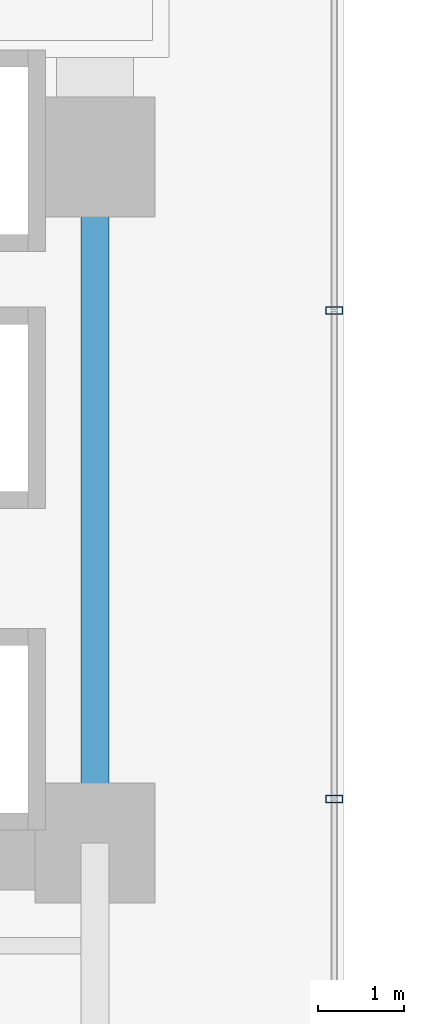
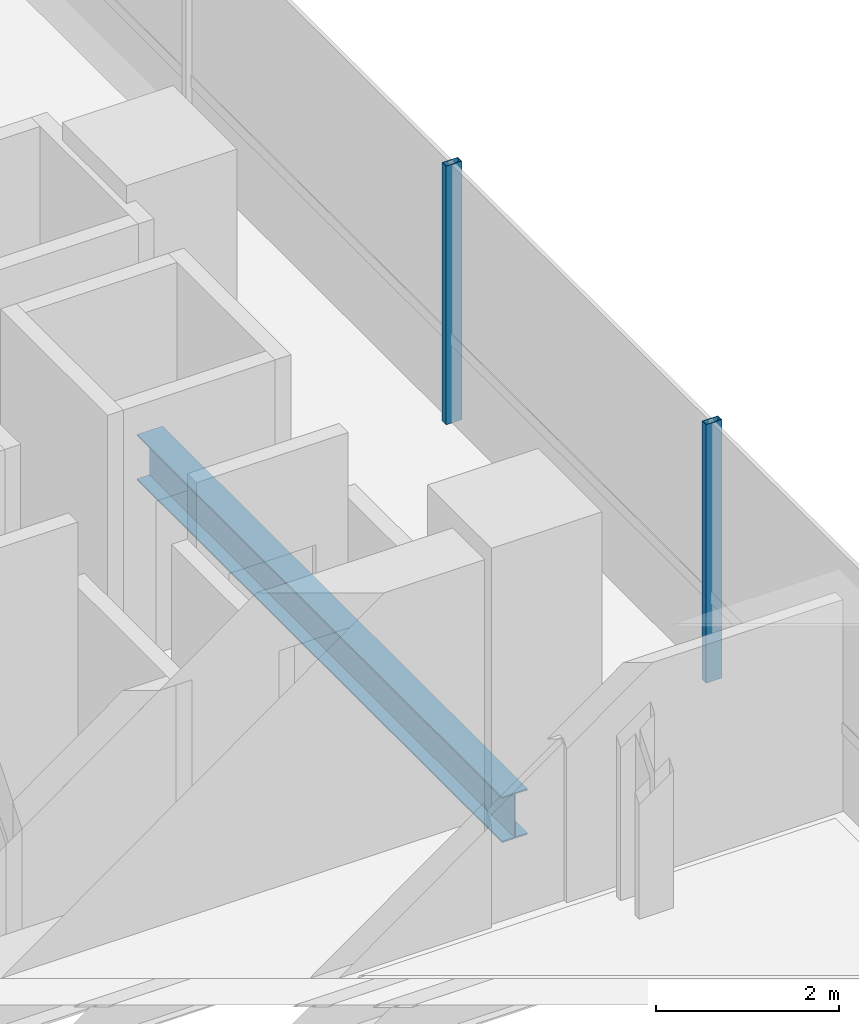
# One storey, part 6 of 40: 2 members, 1 beam, 1 element without a shape of its own.
"""IFC4 building model written with IfcOpenShell, lengths in metres."""

from ifc_helpers import new_model, si_unit, direction, frame, origin, origin_2d, place, context, subcontext, project, spatial, hollow_rectangle, i_section, extrude, source, transform, mapped, material, material_profile, profile_set, type_object, element, aggregate, save


model = new_model("IFC4")

# Units and contexts
model_context = context("Model", 3, precision=1e-05, world=origin(), true_north=direction((0.0, 1.0)))
body_context = subcontext(model_context, "Body", "Model", "MODEL_VIEW")
ifc_project = project(units=[si_unit("LENGTHUNIT", "METRE"), si_unit("AREAUNIT", "SQUARE_METRE"), si_unit("VOLUMEUNIT", "CUBIC_METRE"), si_unit("PLANEANGLEUNIT", "RADIAN"), si_unit("MASSUNIT", "GRAM", prefix="KILO")], contexts=[model_context])

# Site, building, storey
site_placement = place(None, origin())
site = spatial("IfcSite", under=ifc_project, at=site_placement, CompositionType="ELEMENT")
building_placement = place(site_placement, origin())
building = spatial("IfcBuilding", under=site, at=building_placement, Name="Valdorenza Pilgrim Sanctuary Tower", CompositionType="ELEMENT")
storey_placement = place(building_placement, frame((0.0, 0.0, 66.699951171875)))
storey = spatial("IfcBuildingStorey", under=building, at=storey_placement, Name="L16", CompositionType="ELEMENT", Elevation=66.699951171875)

# Beam
ifc_material_1 = material(Name="Steel ASTM A992 Grade 50", Category="steel")
ifc_material_profile_1 = material_profile(ifc_material_1, i_section(OverallWidth=0.323974609375, OverallDepth=0.611083984375, WebThickness=0.0126953125, FlangeThickness=0.01904296875, at=origin_2d()), Name="W24X104")
ifc_profile_set_1 = profile_set([ifc_material_profile_1], Name="Steel ASTM A992 Grade 50")
beam_type = type_object("IfcBeamType", Name="STR-BM-GRD-W24B", PredefinedType="BEAM", material=ifc_profile_set_1)
shared_shape_1 = source(origin(), body_context, "Body", "SweptSolid", [
    extrude(i_section(OverallWidth=0.323974609375, OverallDepth=0.611083984375, WebThickness=0.0126953125, FlangeThickness=0.01904296875, at=origin_2d()), origin(), (0.0, 0.0, 1.0), 8.0),
])
beam_placement = place(storey_placement, frame((-12.39990234375, -10.60009765625, -0.54541015625), z_axis=(0.0, 1.0, 0.0), x_axis=(-1.0, 0.0, 0.0)))
element("IfcBeam", 1, at=beam_placement, inside=storey, type_object=beam_type, Name="L16 Core Tie Girder CA-E-S1M0", PredefinedType="BEAM", context=body_context, shape_type="MappedRepresentation", body=[
    mapped(shared_shape_1, transform((0.0, 0.0, 0.0), x_axis=(1.0, 0.0, 0.0), y_axis=(0.0, 1.0, 0.0), z_axis=(0.0, 0.0, 1.0), scale=1.0)),
])

# Curtain wall, members
ifc_material_2 = material(Name="Curtain-wall IGU glazing", Category="glass")
curtain_wall_type = type_object("IfcCurtainWallType", Name="CW-SYS-02", PredefinedType="NOTDEFINED", material=ifc_material_2)
curtain_wall_placement = place(storey_placement, origin())
curtain_wall = element("IfcCurtainWall", 2, at=curtain_wall_placement, inside=storey, type_object=curtain_wall_type, Name="L16 Curtain Wall CW-L16-1-41", PredefinedType="NOTDEFINED")
ifc_material_3 = material(Name="Anodised aluminium AW-6060", Category="aluminium")
ifc_material_profile_2 = material_profile(ifc_material_3, hollow_rectangle(XDim=0.0849609375, YDim=0.199951171875, WallThickness=0.0048828125, at=origin_2d()), Name="ALU-M 200x85x5")
ifc_profile_set_2 = profile_set([ifc_material_profile_2], Name="Anodised aluminium AW-6060")
member_type = type_object("IfcMemberType", Name="CW-MUL-02", PredefinedType="MULLION", material=ifc_profile_set_2)
shared_shape_2 = source(origin(), body_context, "Body", "SweptSolid", [
    extrude(hollow_rectangle(XDim=0.0849609375, YDim=0.199951171875, WallThickness=0.0048828125, at=origin_2d()), origin(), (0.0, 0.0, 1.0), 3.4599609375),
])
member_1_placement = place(storey_placement, frame((-9.610107421875, -4.38916015625, 0.0), z_axis=(0.0, 0.0, 1.0), x_axis=(0.0, -1.0, 0.0)))
member_1 = element("IfcMember", 3, at=member_1_placement, type_object=member_type, Name="CW-L16-1-41 Mullion 3", PredefinedType="MULLION", context=body_context, shape_type="MappedRepresentation", body=[
    mapped(shared_shape_2, transform((0.0, 0.0, 0.0), x_axis=(1.0, 0.0, 0.0), y_axis=(0.0, 1.0, 0.0), z_axis=(0.0, 0.0, 1.0), scale=1.0)),
])
member_2_placement = place(storey_placement, frame((-9.610107421875, -10.089111328125, 0.0), z_axis=(0.0, 0.0, 1.0), x_axis=(0.0, -1.0, 0.0)))
member_2 = element("IfcMember", 4, at=member_2_placement, type_object=member_type, Name="CW-L16-1-41 Mullion 4", PredefinedType="MULLION", context=body_context, shape_type="MappedRepresentation", body=[
    mapped(shared_shape_2, transform((0.0, 0.0, 0.0), x_axis=(1.0, 0.0, 0.0), y_axis=(0.0, 1.0, 0.0), z_axis=(0.0, 0.0, 1.0), scale=1.0)),
])
aggregate(curtain_wall, [member_1, member_2])

save(model, "model.ifc")
